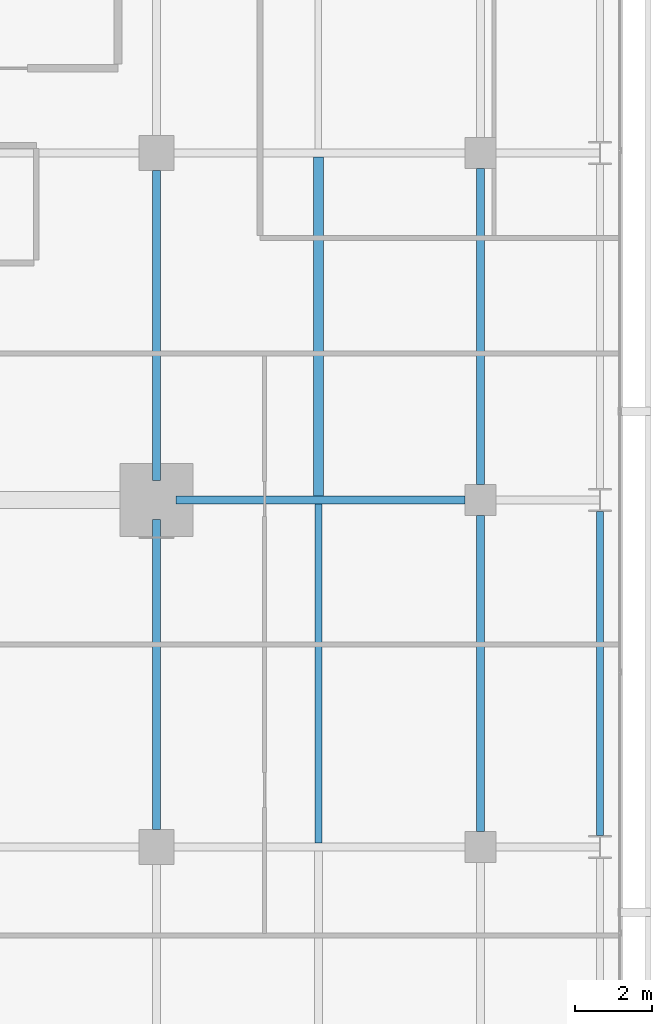
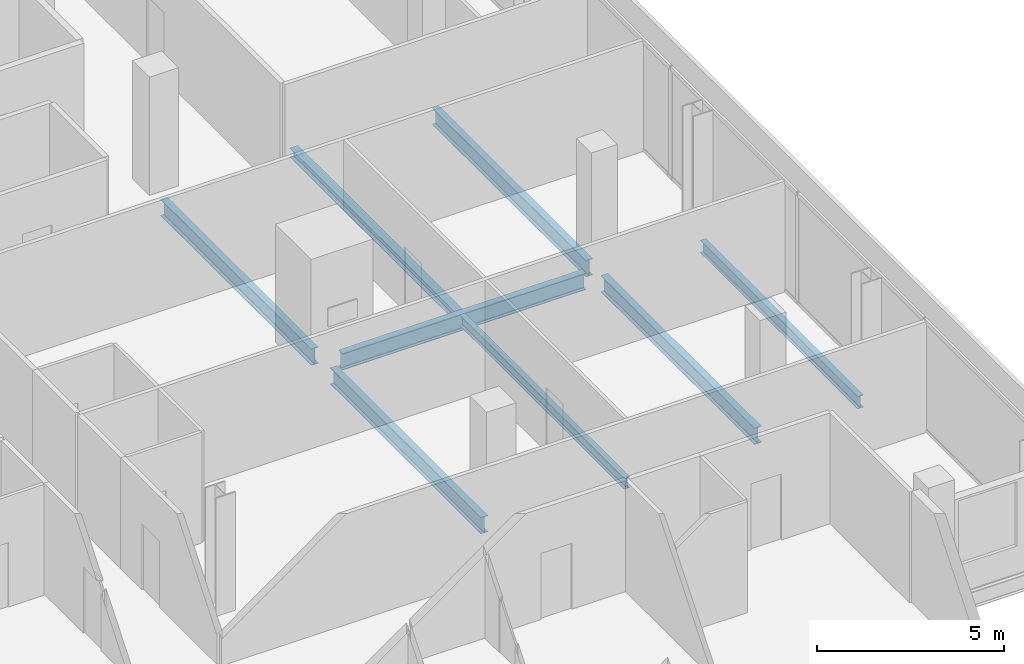
# One storey, part 16 of 33: 8 beams.
"""IFC4 building model written with IfcOpenShell, lengths in metres."""

from ifc_helpers import new_model, si_unit, direction, frame, origin, origin_2d, place, context, subcontext, project, spatial, i_section, extrude, material, material_profile, profile_set, type_object, element, save


model = new_model("IFC4")

# Units and contexts
model_context = context("Model", 3, precision=1e-05, world=origin(), true_north=direction((0.0, 1.0)))
body_context = subcontext(model_context, "Body", "Model", "MODEL_VIEW")
ifc_project = project(units=[si_unit("LENGTHUNIT", "METRE"), si_unit("AREAUNIT", "SQUARE_METRE"), si_unit("VOLUMEUNIT", "CUBIC_METRE"), si_unit("PLANEANGLEUNIT", "RADIAN"), si_unit("MASSUNIT", "GRAM", prefix="KILO")], contexts=[model_context])

# Site, building, storey
site_placement = place(None, origin())
site = spatial("IfcSite", under=ifc_project, at=site_placement, CompositionType="ELEMENT")
building_placement = place(site_placement, origin())
building = spatial("IfcBuilding", under=site, at=building_placement, Name="Maruvema Waterfront Hotel and Observation Tower", CompositionType="ELEMENT")
storey_placement = place(building_placement, frame((0.0, 0.0, 204.39990234375)))
storey = spatial("IfcBuildingStorey", under=building, at=storey_placement, Name="L50", CompositionType="ELEMENT", Elevation=204.39990234375)

# Beams
ifc_material_1 = material(Name="Steel ASTM A572 Grade 50", Category="steel")
ifc_material_profile_1 = material_profile(ifc_material_1, i_section(OverallWidth=0.178955078125, OverallDepth=0.409912109375, WebThickness=0.0087890625, FlangeThickness=0.014404296875, FilletRadius=0.014892578125, at=origin_2d()), Name="W410x67.0")
ifc_profile_set_1 = profile_set([ifc_material_profile_1], Name="Steel ASTM A572 Grade 50")
beam_type_1 = type_object("IfcBeamType", Name="Perimeter Spandrel Beam W410x67.0", PredefinedType="SPANDREL", material=ifc_profile_set_1)
beam_1_placement = place(storey_placement, frame((61.89990234375, 18.300048828125, -0.44482421875), z_axis=(0.0, 1.0, 0.0), x_axis=(-1.0, 0.0, 0.0)))
element("IfcBeam", 1, at=beam_1_placement, inside=storey, type_object=beam_type_1, Name="L50 Floor Girder NS-30", PredefinedType="SPANDREL", context=body_context, shape_type="SweptSolid", body=[
    extrude(i_section(OverallWidth=0.178955078125, OverallDepth=0.409912109375, WebThickness=0.0087890625, FlangeThickness=0.014404296875, FilletRadius=0.014892578125, at=origin_2d()), origin(), (0.0, 0.0, 1.0), 8.39990234375),
])
ifc_material_2 = material(Name="Steel ASTM A572 Grade 50", Category="steel")
ifc_material_profile_2 = material_profile(ifc_material_2, i_section(OverallWidth=0.2109375, OverallDepth=0.5390625, WebThickness=0.01171875, FlangeThickness=0.018798828125, FilletRadius=0.014892578125, at=origin_2d()), Name="W530x109.0")
ifc_profile_set_2 = profile_set([ifc_material_profile_2], Name="Steel ASTM A572 Grade 50")
beam_type_2 = type_object("IfcBeamType", Name="Primary Floor Girder W530x109.0", PredefinedType="BEAM", material=ifc_profile_set_2)
beam_2_placement = place(storey_placement, frame((50.89990234375, 27.0, -0.509521484375), z_axis=(1.0, 0.0, 0.0), x_axis=(0.0, 1.0, 0.0)))
element("IfcBeam", 2, at=beam_2_placement, inside=storey, type_object=beam_type_2, Name="L50 Floor Girder EW-21", PredefinedType="BEAM", context=body_context, shape_type="SweptSolid", body=[
    extrude(i_section(OverallWidth=0.2109375, OverallDepth=0.5390625, WebThickness=0.01171875, FlangeThickness=0.018798828125, FilletRadius=0.014892578125, at=origin_2d()), origin(), (0.0, 0.0, 1.0), 7.5),
])
for number, where, z_axis, x_axis, name in (
    (3, (50.39990234375, 18.449951171875, -0.509521484375), (0.0, 1.0, 0.0), (-1.0, 0.0, 0.0), "L50 Floor Girder NS-22"),
    (4, (50.39990234375, 27.5, -0.509521484375), (0.0, 1.0, 0.0), (-1.0, 0.0, 0.0), "L50 Floor Girder NS-23"),
):
    element("IfcBeam", number, at=place(storey_placement, frame(where, z_axis=z_axis, x_axis=x_axis)), inside=storey, type_object=beam_type_2, Name=name, PredefinedType="BEAM", context=body_context, shape_type="SweptSolid", body=[
        extrude(i_section(OverallWidth=0.2109375, OverallDepth=0.5390625, WebThickness=0.01171875, FlangeThickness=0.018798828125, FilletRadius=0.014892578125, at=origin_2d()), origin(), (0.0, 0.0, 1.0), 8.050048828125),
    ])
for number, where, z_axis, x_axis, name in (
    (5, (58.800048828125, 18.39990234375, -0.509521484375), (0.0, 1.0, 0.0), (-1.0, 0.0, 0.0), "L50 Floor Girder NS-26"),
    (6, (58.800048828125, 27.39990234375, -0.509521484375), (0.0, 1.0, 0.0), (-1.0, 0.0, 0.0), "L50 Floor Girder NS-27"),
):
    element("IfcBeam", number, at=place(storey_placement, frame(where, z_axis=z_axis, x_axis=x_axis)), inside=storey, type_object=beam_type_2, Name=name, PredefinedType="BEAM", context=body_context, shape_type="SweptSolid", body=[
        extrude(i_section(OverallWidth=0.2109375, OverallDepth=0.5390625, WebThickness=0.01171875, FlangeThickness=0.018798828125, FilletRadius=0.014892578125, at=origin_2d()), origin(), (0.0, 0.0, 1.0), 8.2001953125),
    ])
ifc_material_3 = material(Name="Steel ASTM A572 Grade 50", Category="steel")
ifc_material_profile_3 = material_profile(ifc_material_3, i_section(OverallWidth=0.25390625, OverallDepth=0.305908203125, WebThickness=0.0087890625, FlangeThickness=0.0146484375, FilletRadius=0.014892578125, at=origin_2d()), Name="W310x79.0")
ifc_profile_set_3 = profile_set([ifc_material_profile_3], Name="Steel ASTM A572 Grade 50")
beam_type_3 = type_object("IfcBeamType", Name="Secondary Floor Joist W310x79.0", PredefinedType="JOIST", material=ifc_profile_set_3)
beam_3_placement = place(storey_placement, frame((54.60009765625, 27.10546875, -0.392822265625), z_axis=(0.0, 1.0, 0.0), x_axis=(-1.0, 0.0, 0.0)))
element("IfcBeam", 7, at=beam_3_placement, inside=storey, type_object=beam_type_3, Name="L50 Secondary Floor Joist JS-13", PredefinedType="JOIST", context=body_context, shape_type="SweptSolid", body=[
    extrude(i_section(OverallWidth=0.25390625, OverallDepth=0.305908203125, WebThickness=0.0087890625, FlangeThickness=0.0146484375, FilletRadius=0.014892578125, at=origin_2d()), origin(), (0.0, 0.0, 1.0), 8.7890625),
])
ifc_material_4 = material(Name="Steel ASTM A572 Grade 50", Category="steel")
ifc_material_profile_4 = material_profile(ifc_material_4, i_section(OverallWidth=0.1708984375, OverallDepth=0.35498046875, WebThickness=0.007080078125, FlangeThickness=0.01171875, FilletRadius=0.014892578125, at=origin_2d()), Name="W360x51.0")
ifc_profile_set_4 = profile_set([ifc_material_profile_4], Name="Steel ASTM A572 Grade 50")
beam_type_4 = type_object("IfcBeamType", Name="Secondary Floor Joist W360x51.0", PredefinedType="JOIST", material=ifc_profile_set_4)
beam_4_placement = place(storey_placement, frame((54.60009765625, 18.10546875, -0.41748046875), z_axis=(0.0, 1.0, 0.0), x_axis=(-1.0, 0.0, 0.0)))
element("IfcBeam", 8, at=beam_4_placement, inside=storey, type_object=beam_type_4, Name="L50 Secondary Floor Joist JS-12", PredefinedType="JOIST", context=body_context, shape_type="SweptSolid", body=[
    extrude(i_section(OverallWidth=0.1708984375, OverallDepth=0.35498046875, WebThickness=0.007080078125, FlangeThickness=0.01171875, FilletRadius=0.014892578125, at=origin_2d()), origin(), (0.0, 0.0, 1.0), 8.7890625),
])

save(model, "model.ifc")
